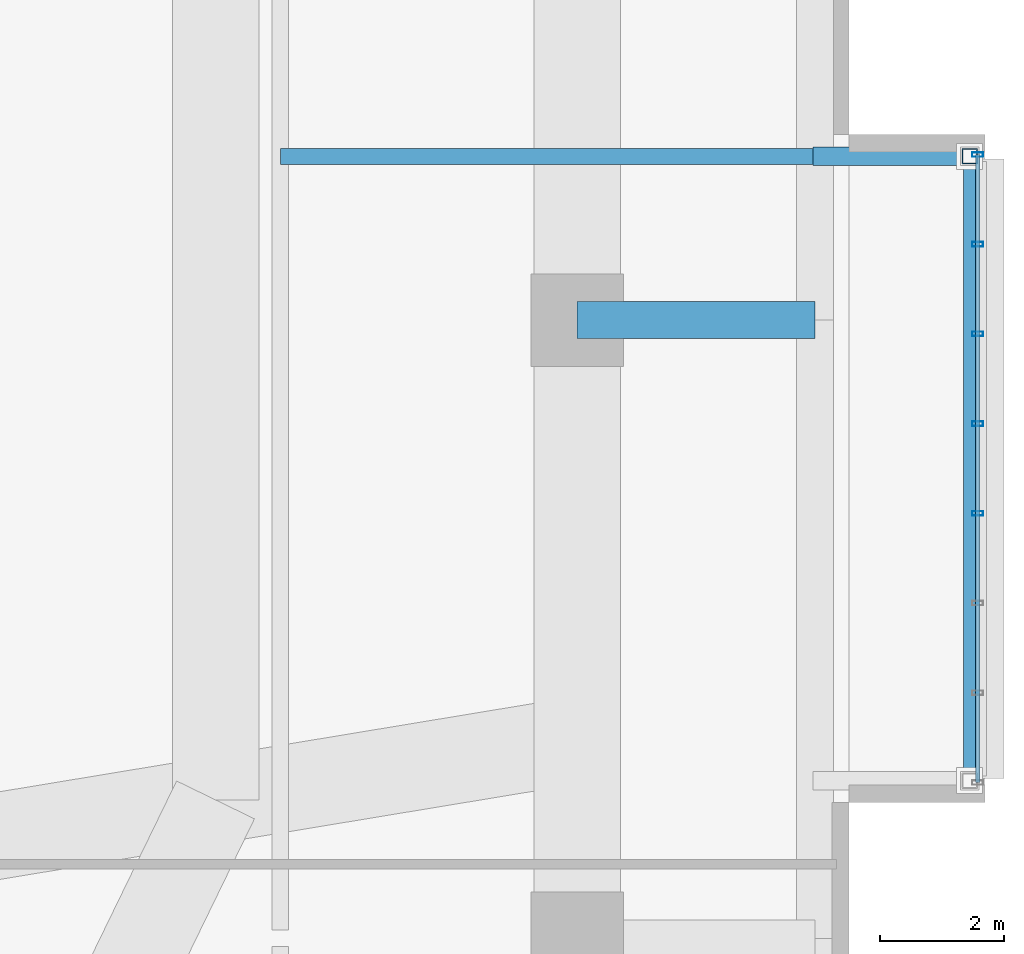
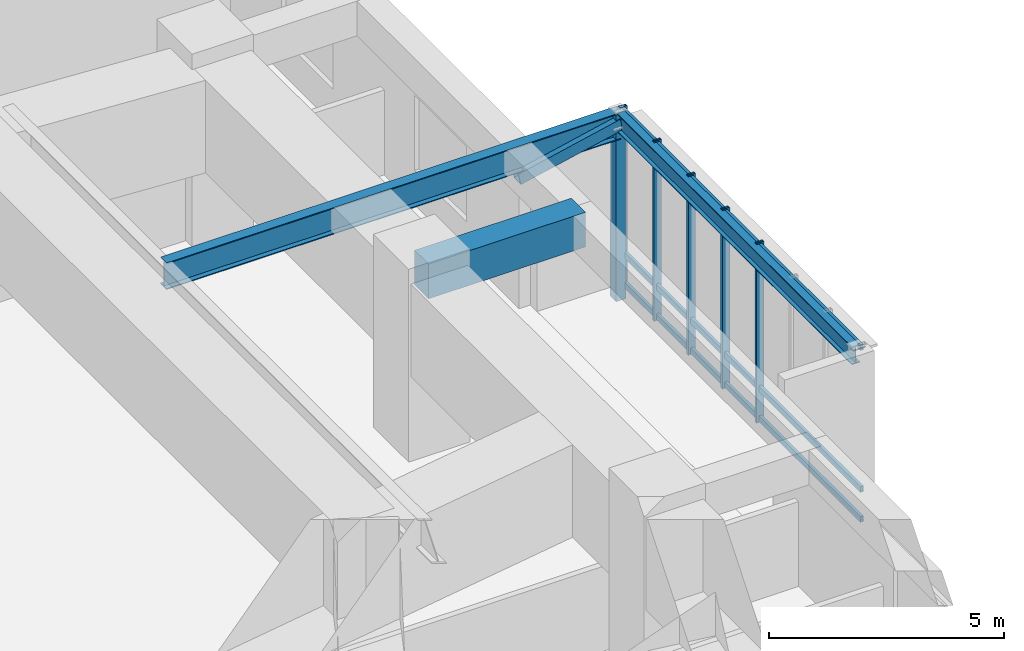
# One storey, part 14 of 26: 10 members, 3 beams, 1 element without a shape of its own.
"""IFC4 building model written with IfcOpenShell, lengths in metres."""

from ifc_helpers import new_model, si_unit, direction, frame, origin, origin_2d, place, context, subcontext, project, spatial, rectangle, hollow_rectangle, i_section, extrude, material, material_profile, profile_set, type_object, element, aggregate, save


model = new_model("IFC4")

# Units and contexts
model_context = context("Model", 3, precision=1e-05, world=origin(), true_north=direction((0.0, 1.0)))
body_context = subcontext(model_context, "Body", "Model", "MODEL_VIEW")
ifc_project = project(units=[si_unit("LENGTHUNIT", "METRE"), si_unit("AREAUNIT", "SQUARE_METRE"), si_unit("VOLUMEUNIT", "CUBIC_METRE"), si_unit("PLANEANGLEUNIT", "RADIAN"), si_unit("MASSUNIT", "GRAM", prefix="KILO")], contexts=[model_context])

# Site, building, storey
site_placement = place(None, origin())
site = spatial("IfcSite", under=ifc_project, at=site_placement, CompositionType="ELEMENT")
building_placement = place(site_placement, origin())
building = spatial("IfcBuilding", under=site, at=building_placement, Name="Zulverin Broadcast Headquarters", CompositionType="ELEMENT")
storey_placement = place(building_placement, frame((0.0, 0.0, 20.0)))
storey = spatial("IfcBuildingStorey", under=building, at=storey_placement, Name="L04", CompositionType="ELEMENT", Elevation=20.0)

# Beams
ifc_material_1 = material(Name="Concrete C40/50", Category="concrete")
ifc_material_profile_1 = material_profile(ifc_material_1, rectangle(XDim=0.60009765625, YDim=0.89990234375, at=origin_2d()), Name="Concrete C40/50", Category="concrete")
ifc_profile_set_1 = profile_set([ifc_material_profile_1], Name="Concrete C40/50")
beam_type_1 = type_object("IfcBeamType", Name="BM-RC-600x900", PredefinedType="BEAM", material=ifc_profile_set_1)
beam_1_placement = place(storey_placement, frame((69.60009765625, 25.199951171875, 4.14990234375), z_axis=(1.0, 0.0, 0.0), x_axis=(0.0, 1.0, 0.0)))
element("IfcBeam", 1, at=beam_1_placement, inside=storey, type_object=beam_type_1, Name="L04 East Perimeter Bracket Girder EBR-3", PredefinedType="BEAM", context=body_context, shape_type="SweptSolid", body=[
    extrude(rectangle(XDim=0.60009765625, YDim=0.89990234375, at=origin_2d()), origin(), (0.0, 0.0, 1.0), 3.849853515625),
])
ifc_material_2 = material(Name="Structural steel S355JR", Category="steel")
ifc_material_profile_2 = material_profile(ifc_material_2, i_section(OverallWidth=0.19287109375, OverallDepth=0.46728515625, WebThickness=0.011474609375, FlangeThickness=0.01953125, at=origin_2d()), Name="Structural steel S355JR", Category="steel")
ifc_profile_set_2 = profile_set([ifc_material_profile_2], Name="Structural steel S355JR")
beam_type_2 = type_object("IfcBeamType", Name="BM-UB-457", PredefinedType="JOIST", material=ifc_profile_set_2)
beam_2_placement = place(storey_placement, frame((75.949951171875, 17.75, 4.366455078125), z_axis=(0.0, 1.0, 0.0), x_axis=(-1.0, 0.0, 0.0)))
element("IfcBeam", 2, at=beam_2_placement, inside=storey, type_object=beam_type_2, Name="L04 Studio Box Edge Beam SBOX_POD_UPPER_E1", PredefinedType="JOIST", context=body_context, shape_type="SweptSolid", body=[
    extrude(i_section(OverallWidth=0.19287109375, OverallDepth=0.46728515625, WebThickness=0.011474609375, FlangeThickness=0.01953125, at=origin_2d()), origin(), (0.0, 0.0, 1.0), 10.10009765625),
])
ifc_material_profile_3 = material_profile(ifc_material_2, i_section(OverallWidth=0.255859375, OverallDepth=0.69287109375, WebThickness=0.014404296875, FlangeThickness=0.023681640625, at=origin_2d()), Name="Structural steel S355JR", Category="steel")
ifc_profile_set_3 = profile_set([ifc_material_profile_3], Name="Structural steel S355JR")
beam_type_3 = type_object("IfcBeamType", Name="BM-UB-686", PredefinedType="BEAM", material=ifc_profile_set_3)
beam_3_placement = place(storey_placement, frame((64.800048828125, 27.85009765625, 4.253662109375), z_axis=(1.0, 0.0, 0.0), x_axis=(0.0, 1.0, 0.0)))
element("IfcBeam", 3, at=beam_3_placement, inside=storey, type_object=beam_type_3, Name="L04 Studio Box Cantilever Girder SBOX_POD_UPPER_E1-2", PredefinedType="BEAM", context=body_context, shape_type="SweptSolid", body=[
    extrude(i_section(OverallWidth=0.255859375, OverallDepth=0.69287109375, WebThickness=0.014404296875, FlangeThickness=0.023681640625, at=origin_2d()), origin(), (0.0, 0.0, 1.0), 11.14990234375),
])

# Curtain wall, members
ifc_material_3 = material(Name="Acoustic triple-glazed studio box curtain wall", Category="aluminium")
curtain_wall_type = type_object("IfcCurtainWallType", Name="CW-SBOX", PredefinedType="USERDEFINED", material=ifc_material_3)
curtain_wall_placement = place(storey_placement, origin())
curtain_wall = element("IfcCurtainWall", 4, at=curtain_wall_placement, inside=storey, type_object=curtain_wall_type, Name="L04 Unitised Curtain Wall CW-L04-SBOX_POD_UPPER_E1-F", ObjectType="UNITISED CURTAIN WALL", PredefinedType="USERDEFINED")
ifc_material_4 = material(Name="Anodized pale-metal aluminium alloy 6063-T6", Category="aluminium")
ifc_material_profile_4 = material_profile(ifc_material_4, hollow_rectangle(XDim=0.074951171875, YDim=0.179931640625, WallThickness=0.0048828125, at=origin_2d()), Name="Anodized pale-metal aluminium alloy 6063-T6", Category="aluminium")
ifc_profile_set_4 = profile_set([ifc_material_profile_4], Name="Anodized pale-metal aluminium alloy 6063-T6")
member_type_1 = type_object("IfcMemberType", Name="CW-MUL-180", PredefinedType="MULLION", material=ifc_profile_set_4)
member_1_placement = place(storey_placement, frame((76.080078125, 22.07421875, -0.030029296875), z_axis=(0.0, 0.0, 1.0), x_axis=(0.0, 1.0, 0.0)))
member_1 = element("IfcMember", 5, at=member_1_placement, type_object=member_type_1, Name="CW-L04-SBOX_POD_UPPER_E1-F Mullion 03", PredefinedType="MULLION", context=body_context, shape_type="SweptSolid", body=[
    extrude(hollow_rectangle(XDim=0.074951171875, YDim=0.179931640625, WallThickness=0.0048828125, at=origin_2d()), origin(), (0.0, 0.0, 1.0), 4.659912109375),
])
member_2_placement = place(storey_placement, frame((76.080078125, 23.525634765625, -0.030029296875), z_axis=(0.0, 0.0, 1.0), x_axis=(0.0, 1.0, 0.0)))
member_2 = element("IfcMember", 6, at=member_2_placement, type_object=member_type_1, Name="CW-L04-SBOX_POD_UPPER_E1-F Mullion 04", PredefinedType="MULLION", context=body_context, shape_type="SweptSolid", body=[
    extrude(hollow_rectangle(XDim=0.074951171875, YDim=0.179931640625, WallThickness=0.0048828125, at=origin_2d()), origin(), (0.0, 0.0, 1.0), 4.659912109375),
])
member_3_placement = place(storey_placement, frame((76.080078125, 24.97705078125, -0.030029296875), z_axis=(0.0, 0.0, 1.0), x_axis=(0.0, 1.0, 0.0)))
member_3 = element("IfcMember", 7, at=member_3_placement, type_object=member_type_1, Name="CW-L04-SBOX_POD_UPPER_E1-F Mullion 05", PredefinedType="MULLION", context=body_context, shape_type="SweptSolid", body=[
    extrude(hollow_rectangle(XDim=0.074951171875, YDim=0.179931640625, WallThickness=0.0048828125, at=origin_2d()), origin(), (0.0, 0.0, 1.0), 4.659912109375),
])
member_4_placement = place(storey_placement, frame((76.080078125, 26.4287109375, -0.030029296875), z_axis=(0.0, 0.0, 1.0), x_axis=(0.0, 1.0, 0.0)))
member_4 = element("IfcMember", 8, at=member_4_placement, type_object=member_type_1, Name="CW-L04-SBOX_POD_UPPER_E1-F Mullion 06", PredefinedType="MULLION", context=body_context, shape_type="SweptSolid", body=[
    extrude(hollow_rectangle(XDim=0.074951171875, YDim=0.179931640625, WallThickness=0.0048828125, at=origin_2d()), origin(), (0.0, 0.0, 1.0), 4.659912109375),
])
member_5_placement = place(storey_placement, frame((76.080078125, 27.8798828125, -0.030029296875), z_axis=(0.0, 0.0, 1.0), x_axis=(0.0, 1.0, 0.0)))
member_5 = element("IfcMember", 9, at=member_5_placement, type_object=member_type_1, Name="CW-L04-SBOX_POD_UPPER_E1-F Mullion 07", PredefinedType="MULLION", context=body_context, shape_type="SweptSolid", body=[
    extrude(hollow_rectangle(XDim=0.074951171875, YDim=0.179931640625, WallThickness=0.0048828125, at=origin_2d()), origin(), (0.0, 0.0, 1.0), 4.659912109375),
])
ifc_material_profile_5 = material_profile(ifc_material_4, hollow_rectangle(XDim=0.074951171875, YDim=0.14990234375, WallThickness=0.0048828125, at=origin_2d()), Name="Anodized pale-metal aluminium alloy 6063-T6", Category="aluminium")
ifc_profile_set_5 = profile_set([ifc_material_profile_5], Name="Anodized pale-metal aluminium alloy 6063-T6")
member_type_2 = type_object("IfcMemberType", Name="CW-TRN-150", PredefinedType="USERDEFINED", material=ifc_profile_set_5)
member_6_placement = place(storey_placement, frame((76.080078125, 17.719970703125, 0.074951171875), z_axis=(0.0, 1.0, 0.0), x_axis=(-1.0, 0.0, 0.0)))
member_6 = element("IfcMember", 10, at=member_6_placement, type_object=member_type_2, Name="CW-L04-SBOX_POD_UPPER_E1-F Transom 0", ObjectType="TRANSOM", PredefinedType="USERDEFINED", context=body_context, shape_type="SweptSolid", body=[
    extrude(hollow_rectangle(XDim=0.074951171875, YDim=0.14990234375, WallThickness=0.0048828125, at=origin_2d()), origin(), (0.0, 0.0, 1.0), 10.159912109375),
])
member_7_placement = place(storey_placement, frame((76.080078125, 17.719970703125, 0.85009765625), z_axis=(0.0, 1.0, 0.0), x_axis=(-1.0, 0.0, 0.0)))
member_7 = element("IfcMember", 11, at=member_7_placement, type_object=member_type_2, Name="CW-L04-SBOX_POD_UPPER_E1-F Transom 1", ObjectType="TRANSOM", PredefinedType="USERDEFINED", context=body_context, shape_type="SweptSolid", body=[
    extrude(hollow_rectangle(XDim=0.074951171875, YDim=0.14990234375, WallThickness=0.0048828125, at=origin_2d()), origin(), (0.0, 0.0, 1.0), 10.159912109375),
])
member_8_placement = place(storey_placement, frame((76.080078125, 17.719970703125, 4.52490234375), z_axis=(0.0, 1.0, 0.0), x_axis=(-1.0, 0.0, 0.0)))
member_8 = element("IfcMember", 12, at=member_8_placement, type_object=member_type_2, Name="CW-L04-SBOX_POD_UPPER_E1-F Transom 2", ObjectType="TRANSOM", PredefinedType="USERDEFINED", context=body_context, shape_type="SweptSolid", body=[
    extrude(hollow_rectangle(XDim=0.074951171875, YDim=0.14990234375, WallThickness=0.0048828125, at=origin_2d()), origin(), (0.0, 0.0, 1.0), 10.159912109375),
])
aggregate(curtain_wall, [member_1, member_2, member_3, member_4, member_5, member_6, member_7, member_8])

# Members
ifc_material_profile_6 = material_profile(ifc_material_2, hollow_rectangle(XDim=0.300048828125, YDim=0.300048828125, WallThickness=0.01611328125, at=origin_2d()), Name="Structural steel S355JR", Category="steel")
ifc_profile_set_6 = profile_set([ifc_material_profile_6], Name="Structural steel S355JR")
member_type_3 = type_object("IfcMemberType", Name="MBR-BLT-DIAG1", PredefinedType="BRACE", material=ifc_profile_set_6)
member_9_placement = place(storey_placement, frame((73.449951171875, 27.85009765625, 3.75), z_axis=(0.976640463768, 0.0, 0.214879977038), x_axis=(0.0, 1.0, 0.0)))
element("IfcMember", 13, at=member_9_placement, inside=storey, type_object=member_type_3, Name="L04 Studio Box Raking Knee Brace SBOX_POD_UPPER_E1-2", PredefinedType="BRACE", context=body_context, shape_type="SweptSolid", body=[
    extrude(hollow_rectangle(XDim=0.300048828125, YDim=0.300048828125, WallThickness=0.01611328125, at=origin_2d()), origin(), (0.0, 0.0, 1.0), 2.559814453125),
])
ifc_material_profile_7 = material_profile(ifc_material_2, hollow_rectangle(XDim=0.25, YDim=0.25, WallThickness=0.01611328125, at=origin_2d()), Name="Structural steel S355JR", Category="steel")
ifc_profile_set_7 = profile_set([ifc_material_profile_7], Name="Structural steel S355JR")
member_type_4 = type_object("IfcMemberType", Name="MBR-BLT-POST", PredefinedType="POST", material=ifc_profile_set_7)
member_10_placement = place(storey_placement, frame((75.949951171875, 27.85009765625, -0.27001953125), z_axis=(0.0, 0.0, 1.0), x_axis=(1.0, 0.0, 0.0)))
element("IfcMember", 14, at=member_10_placement, inside=storey, type_object=member_type_4, Name="L04 Shifted Studio Box Frame Post SBOX_POD_UPPER_E1-2", PredefinedType="POST", context=body_context, shape_type="SweptSolid", body=[
    extrude(hollow_rectangle(XDim=0.25, YDim=0.25, WallThickness=0.01611328125, at=origin_2d()), origin(), (0.0, 0.0, 1.0), 4.8701171875),
])

save(model, "model.ifc")
